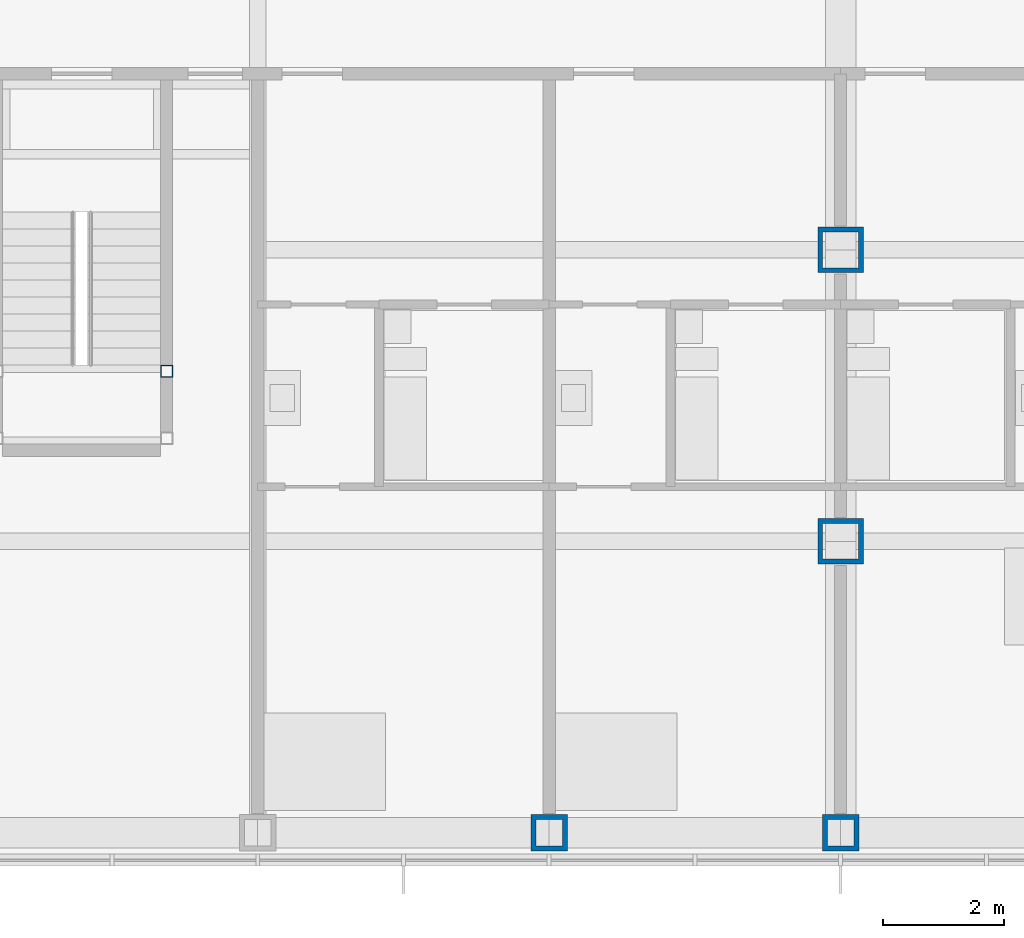
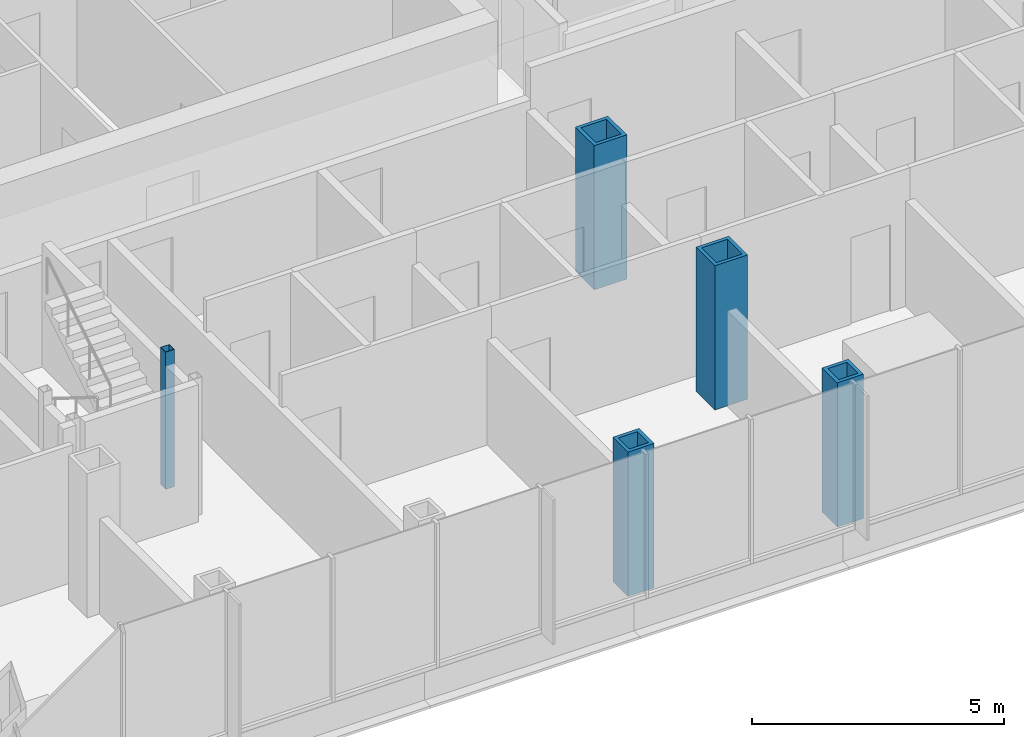
# One storey, part 2 of 22: 5 columns.
"""IFC4 building model written with IfcOpenShell, lengths in metres."""

from ifc_helpers import new_model, si_unit, direction, frame, origin, origin_2d, place, context, subcontext, project, spatial, hollow_rectangle, extrude, material, material_profile, profile_set, type_object, element, save


model = new_model("IFC4")

# Units and contexts
model_context = context("Model", 3, precision=1e-05, world=origin(), true_north=direction((0.0, 1.0)))
body_context = subcontext(model_context, "Body", "Model", "MODEL_VIEW")
ifc_project = project(units=[si_unit("LENGTHUNIT", "METRE"), si_unit("AREAUNIT", "SQUARE_METRE"), si_unit("VOLUMEUNIT", "CUBIC_METRE"), si_unit("PLANEANGLEUNIT", "RADIAN"), si_unit("MASSUNIT", "GRAM", prefix="KILO")], contexts=[model_context])

# Site, building, storey
site_placement = place(None, origin())
site = spatial("IfcSite", under=ifc_project, at=site_placement, CompositionType="ELEMENT")
building_placement = place(site_placement, origin())
building = spatial("IfcBuilding", under=site, at=building_placement, Name="Kvirike Care Tower", CompositionType="ELEMENT")
storey_placement = place(building_placement, frame((0.0, 0.0, 69.0)))
storey = spatial("IfcBuildingStorey", under=building, at=storey_placement, Name="L18", CompositionType="ELEMENT", Elevation=69.0)

# Columns
ifc_material_1 = material(Name="Steel S460", Category="steel")
ifc_material_profile_1 = material_profile(ifc_material_1, hollow_rectangle(XDim=0.60009765625, YDim=0.60009765625, WallThickness=0.080078125, at=origin_2d()), Name="BX 600x600x80")
ifc_profile_set_1 = profile_set([ifc_material_profile_1], Name="Steel S460")
column_type_1 = type_object("IfcColumnType", Name="COLUMN BX 600x600x80", PredefinedType="COLUMN", material=ifc_profile_set_1)
for number, where, z_axis, x_axis, name in (
    (1, (24.0, 14.39990234375, 0.0), (0.0, 0.0, 1.0), (0.0, 1.0, 0.0), "Column D8 L18"),
    (2, (28.800048828125, 14.39990234375, 0.0), (0.0, 0.0, 1.0), (0.0, 1.0, 0.0), "Column D9 L18"),
):
    element("IfcColumn", number, at=place(storey_placement, frame(where, z_axis=z_axis, x_axis=x_axis)), inside=storey, type_object=column_type_1, Name=name, PredefinedType="COLUMN", context=body_context, shape_type="SweptSolid", body=[
        extrude(hollow_rectangle(XDim=0.60009765625, YDim=0.60009765625, WallThickness=0.080078125, at=origin_2d()), origin(), (0.0, 0.0, 1.0), 3.5),
    ])
ifc_material_2 = material(Name="Steel S460", Category="steel")
ifc_material_profile_2 = material_profile(ifc_material_2, hollow_rectangle(XDim=0.75, YDim=0.75, WallThickness=0.080078125, at=origin_2d()), Name="BX 750x750x80")
ifc_profile_set_2 = profile_set([ifc_material_profile_2], Name="Steel S460")
column_type_2 = type_object("IfcColumnType", Name="COLUMN BX 750x750x80", PredefinedType="COLUMN", material=ifc_profile_set_2)
for number, where, z_axis, x_axis, name in (
    (3, (28.800048828125, 19.199951171875, 0.0), (0.0, 0.0, 1.0), (1.0, 0.0, 0.0), "Column E9 L18"),
    (4, (28.800048828125, 24.0, 0.0), (0.0, 0.0, 1.0), (1.0, 0.0, 0.0), "Column F9 L18"),
):
    element("IfcColumn", number, at=place(storey_placement, frame(where, z_axis=z_axis, x_axis=x_axis)), inside=storey, type_object=column_type_2, Name=name, PredefinedType="COLUMN", context=body_context, shape_type="SweptSolid", body=[
        extrude(hollow_rectangle(XDim=0.75, YDim=0.75, WallThickness=0.080078125, at=origin_2d()), origin(), (0.0, 0.0, 1.0), 3.5),
    ])
ifc_material_3 = material(Name="Steel S460", Category="steel")
ifc_material_profile_3 = material_profile(ifc_material_3, hollow_rectangle(XDim=0.199951171875, YDim=0.199951171875, WallThickness=0.008056640625, at=origin_2d()), Name="SHS 200x200x8")
ifc_profile_set_3 = profile_set([ifc_material_profile_3], Name="Steel S460")
column_type_3 = type_object("IfcColumnType", Name="STAIR POST SHS 200x200x8", PredefinedType="COLUMN", material=ifc_profile_set_3)
column_placement = place(storey_placement, frame((17.699951171875, 22.0, 0.0), z_axis=(0.0, 0.0, 1.0), x_axis=(1.0, 0.0, 0.0)))
element("IfcColumn", 5, at=column_placement, inside=storey, type_object=column_type_3, Name="Stair 5 post 4 L18", PredefinedType="COLUMN", context=body_context, shape_type="SweptSolid", body=[
    extrude(hollow_rectangle(XDim=0.199951171875, YDim=0.199951171875, WallThickness=0.008056640625, at=origin_2d()), origin(), (0.0, 0.0, 1.0), 3.330078125),
])

save(model, "model.ifc")
